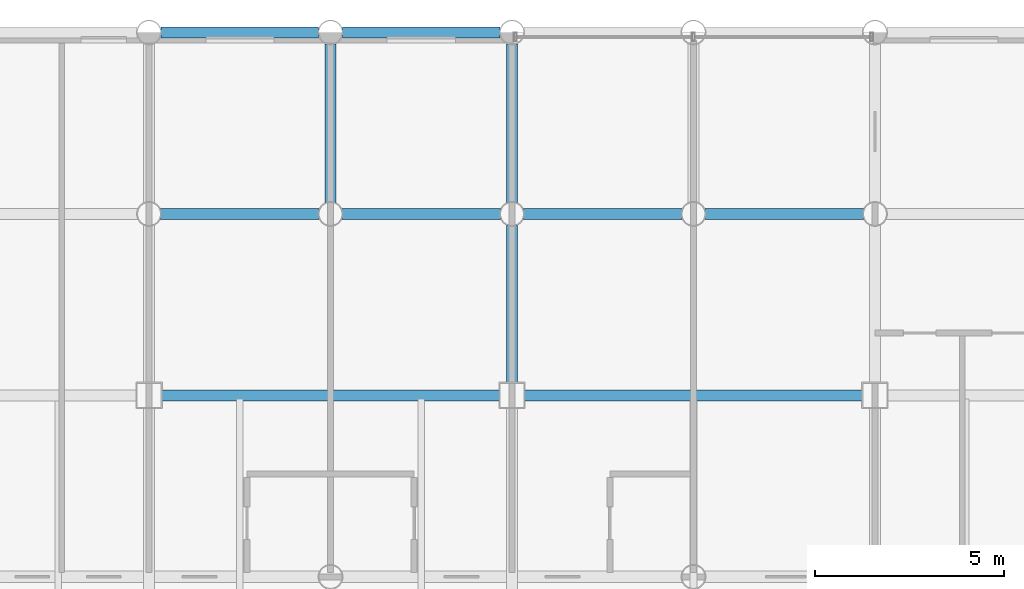
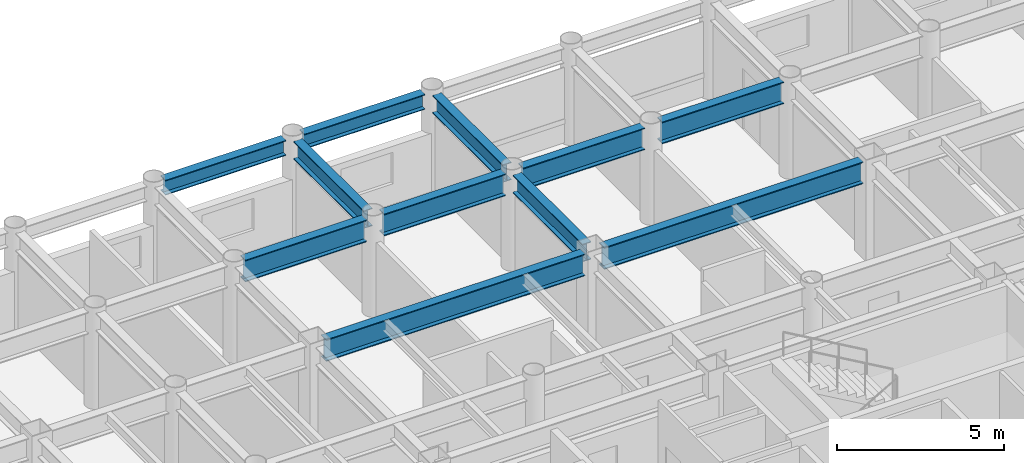
# One storey, part 12 of 22: 11 beams.
"""IFC4 building model written with IfcOpenShell, lengths in metres."""

from ifc_helpers import new_model, si_unit, direction, frame, origin, origin_2d, place, context, subcontext, project, spatial, i_section, extrude, material, material_profile, profile_set, type_object, element, save


model = new_model("IFC4")

# Units and contexts
model_context = context("Model", 3, precision=1e-05, world=origin(), true_north=direction((0.0, 1.0)))
body_context = subcontext(model_context, "Body", "Model", "MODEL_VIEW")
ifc_project = project(units=[si_unit("LENGTHUNIT", "METRE"), si_unit("AREAUNIT", "SQUARE_METRE"), si_unit("VOLUMEUNIT", "CUBIC_METRE"), si_unit("PLANEANGLEUNIT", "RADIAN"), si_unit("MASSUNIT", "GRAM", prefix="KILO")], contexts=[model_context])

# Site, building, storey
site_placement = place(None, origin())
site = spatial("IfcSite", under=ifc_project, at=site_placement, CompositionType="ELEMENT")
building_placement = place(site_placement, origin())
building = spatial("IfcBuilding", under=site, at=building_placement, Name="Kallvorn Hotel Tower", CompositionType="ELEMENT")
storey_placement = place(building_placement, frame((0.0, 0.0, 110.0)))
storey = spatial("IfcBuildingStorey", under=building, at=storey_placement, Name="L26", CompositionType="ELEMENT", Elevation=110.0)

# Beams
ifc_material_1 = material(Name="Structural steel S355JR", Category="steel")
ifc_material_profile_1 = material_profile(ifc_material_1, i_section(OverallWidth=0.300048828125, OverallDepth=0.550048828125, WebThickness=0.014892578125, FlangeThickness=0.029052734375, at=origin_2d()), Name="HE 550 B")
ifc_profile_set_1 = profile_set([ifc_material_profile_1], Name="Structural steel S355JR")
beam_type_1 = type_object("IfcBeamType", Name="BM_HE550B", PredefinedType="SPANDREL", material=ifc_profile_set_1)
beam_1_placement = place(storey_placement, frame((-14.080078125, 24.0, 3.2451171875), z_axis=(1.0, 0.0, 0.0), x_axis=(0.0, 1.0, 0.0)))
element("IfcBeam", 1, at=beam_1_placement, inside=storey, type_object=beam_type_1, Name="L27 Perimeter Spandrel 165", PredefinedType="SPANDREL", context=body_context, shape_type="SweptSolid", body=[
    extrude(i_section(OverallWidth=0.300048828125, OverallDepth=0.550048828125, WebThickness=0.014892578125, FlangeThickness=0.029052734375, at=origin_2d()), origin(), (0.0, 0.0, 1.0), 4.16015625),
])
beam_2_placement = place(storey_placement, frame((-9.280029296875, 24.0, 3.2451171875), z_axis=(1.0, 0.0, 0.0), x_axis=(0.0, 1.0, 0.0)))
element("IfcBeam", 2, at=beam_2_placement, inside=storey, type_object=beam_type_1, Name="L27 Perimeter Spandrel 166", PredefinedType="SPANDREL", context=body_context, shape_type="SweptSolid", body=[
    extrude(i_section(OverallWidth=0.300048828125, OverallDepth=0.550048828125, WebThickness=0.014892578125, FlangeThickness=0.029052734375, at=origin_2d()), origin(), (0.0, 0.0, 1.0), 4.159912109375),
])
ifc_material_2 = material(Name="Structural steel S355JR", Category="steel")
ifc_material_profile_2 = material_profile(ifc_material_2, i_section(OverallWidth=0.300048828125, OverallDepth=0.64990234375, WebThickness=0.01611328125, FlangeThickness=0.031005859375, at=origin_2d()), Name="HE 650 B")
ifc_profile_set_2 = profile_set([ifc_material_profile_2], Name="Structural steel S355JR")
beam_type_2 = type_object("IfcBeamType", Name="BM_HE650B", PredefinedType="BEAM", material=ifc_profile_set_2)
beam_3_placement = place(storey_placement, frame((-9.60009765625, 19.5048828125, 3.195068359375), z_axis=(0.0, 1.0, 0.0), x_axis=(-1.0, 0.0, 0.0)))
element("IfcBeam", 3, at=beam_3_placement, inside=storey, type_object=beam_type_2, Name="L27 Primary Y-Girder 104", PredefinedType="BEAM", context=body_context, shape_type="SweptSolid", body=[
    extrude(i_section(OverallWidth=0.300048828125, OverallDepth=0.64990234375, WebThickness=0.01611328125, FlangeThickness=0.031005859375, at=origin_2d()), origin(), (0.0, 0.0, 1.0), 4.190185546875),
])
beam_4_placement = place(storey_placement, frame((-4.800048828125, 14.72509765625, 3.195068359375), z_axis=(0.0, 1.0, 0.0), x_axis=(-1.0, 0.0, 0.0)))
element("IfcBeam", 4, at=beam_4_placement, inside=storey, type_object=beam_type_2, Name="L27 Primary Y-Girder 108", PredefinedType="BEAM", context=body_context, shape_type="SweptSolid", body=[
    extrude(i_section(OverallWidth=0.300048828125, OverallDepth=0.64990234375, WebThickness=0.01611328125, FlangeThickness=0.031005859375, at=origin_2d()), origin(), (0.0, 0.0, 1.0), 4.169921875),
])
beam_5_placement = place(storey_placement, frame((-4.800048828125, 19.5048828125, 3.195068359375), z_axis=(0.0, 1.0, 0.0), x_axis=(-1.0, 0.0, 0.0)))
element("IfcBeam", 5, at=beam_5_placement, inside=storey, type_object=beam_type_2, Name="L27 Primary Y-Girder 109", PredefinedType="BEAM", context=body_context, shape_type="SweptSolid", body=[
    extrude(i_section(OverallWidth=0.300048828125, OverallDepth=0.64990234375, WebThickness=0.01611328125, FlangeThickness=0.031005859375, at=origin_2d()), origin(), (0.0, 0.0, 1.0), 4.190185546875),
])
ifc_material_3 = material(Name="Structural steel S355JR", Category="steel")
ifc_material_profile_3 = material_profile(ifc_material_3, i_section(OverallWidth=0.300048828125, OverallDepth=0.800048828125, WebThickness=0.017578125, FlangeThickness=0.032958984375, at=origin_2d()), Name="HE 800 B")
ifc_profile_set_3 = profile_set([ifc_material_profile_3], Name="Structural steel S355JR")
beam_type_3 = type_object("IfcBeamType", Name="BM_HE800B", PredefinedType="BEAM", material=ifc_profile_set_3)
beam_6_placement = place(storey_placement, frame((-14.074951171875, 14.39990234375, 3.1201171875), z_axis=(1.0, 0.0, 0.0), x_axis=(0.0, 1.0, 0.0)))
element("IfcBeam", 6, at=beam_6_placement, inside=storey, type_object=beam_type_3, Name="L27 Primary X-Girder 53", PredefinedType="BEAM", context=body_context, shape_type="SweptSolid", body=[
    extrude(i_section(OverallWidth=0.300048828125, OverallDepth=0.800048828125, WebThickness=0.017578125, FlangeThickness=0.032958984375, at=origin_2d()), origin(), (0.0, 0.0, 1.0), 8.949951171875),
])
beam_7_placement = place(storey_placement, frame((-4.47509765625, 14.39990234375, 3.1201171875), z_axis=(1.0, 0.0, 0.0), x_axis=(0.0, 1.0, 0.0)))
element("IfcBeam", 7, at=beam_7_placement, inside=storey, type_object=beam_type_3, Name="L27 Primary X-Girder 54", PredefinedType="BEAM", context=body_context, shape_type="SweptSolid", body=[
    extrude(i_section(OverallWidth=0.300048828125, OverallDepth=0.800048828125, WebThickness=0.017578125, FlangeThickness=0.032958984375, at=origin_2d()), origin(), (0.0, 0.0, 1.0), 8.9501953125),
])
for number, where, z_axis, x_axis, name in (
    (8, (-14.094970703125, 19.199951171875, 3.1201171875), (1.0, 0.0, 0.0), (0.0, 1.0, 0.0), "L27 Primary X-Girder 63"),
    (9, (-9.294921875, 19.199951171875, 3.1201171875), (1.0, 0.0, 0.0), (0.0, 1.0, 0.0), "L27 Primary X-Girder 64"),
):
    element("IfcBeam", number, at=place(storey_placement, frame(where, z_axis=z_axis, x_axis=x_axis)), inside=storey, type_object=beam_type_3, Name=name, PredefinedType="BEAM", context=body_context, shape_type="SweptSolid", body=[
        extrude(i_section(OverallWidth=0.300048828125, OverallDepth=0.800048828125, WebThickness=0.017578125, FlangeThickness=0.032958984375, at=origin_2d()), origin(), (0.0, 0.0, 1.0), 4.18994140625),
    ])
for number, where, z_axis, x_axis, name in (
    (10, (-4.4951171875, 19.199951171875, 3.1201171875), (1.0, 0.0, 0.0), (0.0, 1.0, 0.0), "L27 Primary X-Girder 65"),
    (11, (0.304931640625, 19.199951171875, 3.1201171875), (1.0, 0.0, 0.0), (0.0, 1.0, 0.0), "L27 Primary X-Girder 66"),
):
    element("IfcBeam", number, at=place(storey_placement, frame(where, z_axis=z_axis, x_axis=x_axis)), inside=storey, type_object=beam_type_3, Name=name, PredefinedType="BEAM", context=body_context, shape_type="SweptSolid", body=[
        extrude(i_section(OverallWidth=0.300048828125, OverallDepth=0.800048828125, WebThickness=0.017578125, FlangeThickness=0.032958984375, at=origin_2d()), origin(), (0.0, 0.0, 1.0), 4.190185546875),
    ])

save(model, "model.ifc")
